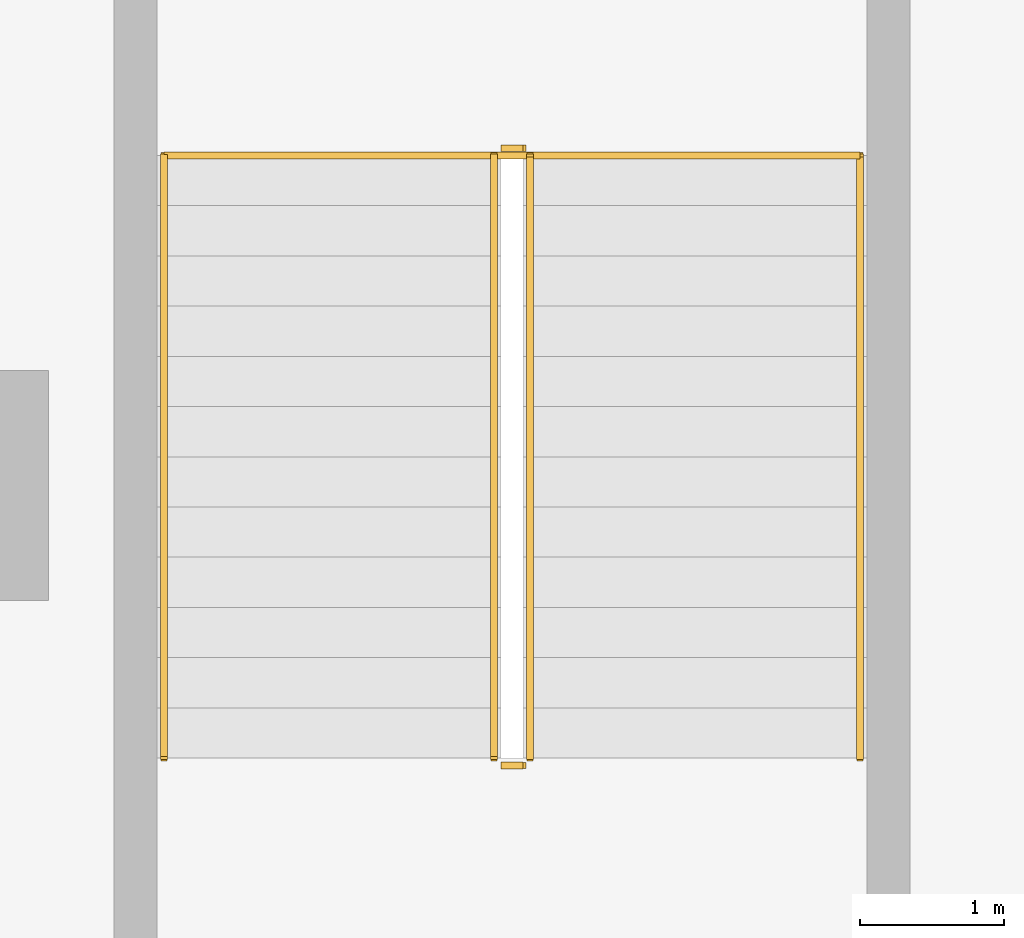
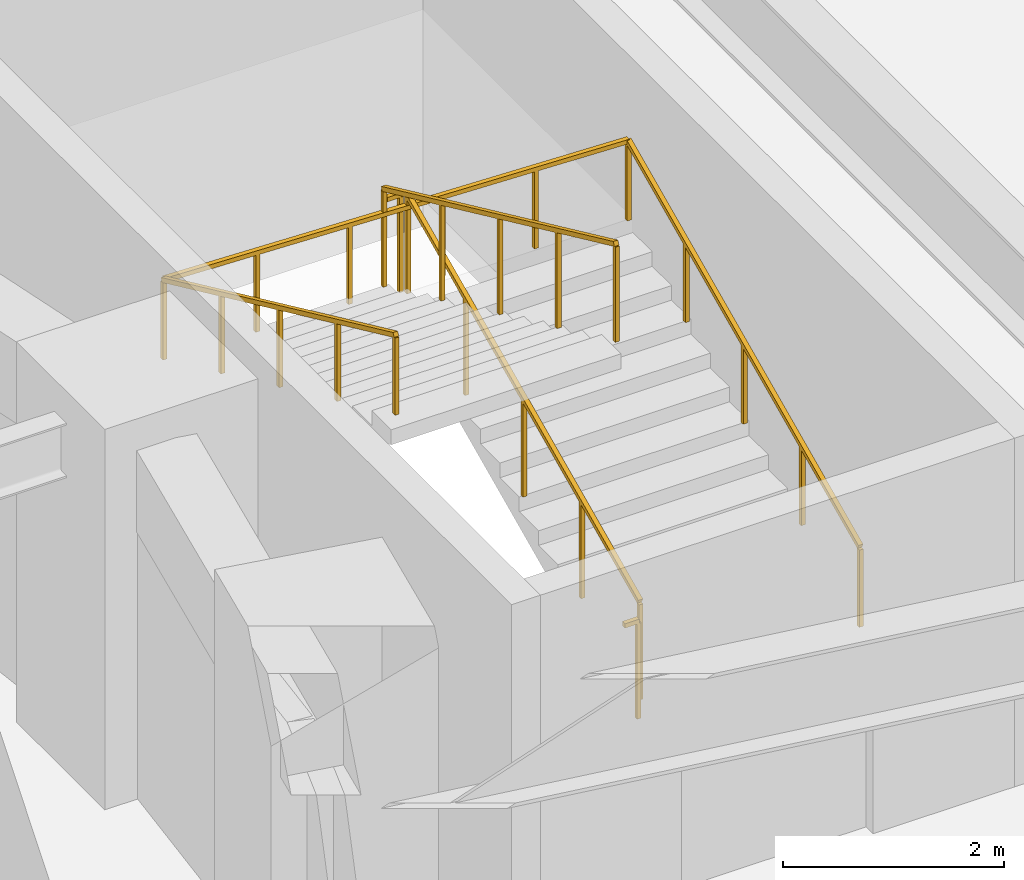
# One storey, part 30 of 32: 5 railings.
"""IFC4 building model written with IfcOpenShell, lengths in metres."""

from ifc_helpers import new_model, si_unit, direction, frame, origin, origin_2d, place, context, subcontext, project, spatial, rectangle, extrude, material, type_object, element, save


model = new_model("IFC4")

# Units and contexts
model_context = context("Model", 3, precision=1e-05, world=origin(), true_north=direction((0.0, 1.0)))
body_context = subcontext(model_context, "Body", "Model", "MODEL_VIEW")
ifc_project = project(units=[si_unit("LENGTHUNIT", "METRE"), si_unit("AREAUNIT", "SQUARE_METRE"), si_unit("VOLUMEUNIT", "CUBIC_METRE"), si_unit("PLANEANGLEUNIT", "RADIAN"), si_unit("MASSUNIT", "GRAM", prefix="KILO")], contexts=[model_context])

# Site, building, storey
site_placement = place(None, origin())
site = spatial("IfcSite", under=ifc_project, at=site_placement, CompositionType="ELEMENT")
building_placement = place(site_placement, origin())
building = spatial("IfcBuilding", under=site, at=building_placement, Name="Noorbagh Ring Tower", CompositionType="ELEMENT")
storey_placement = place(building_placement, frame((0.0, 0.0, -4.199951171875)))
storey = spatial("IfcBuildingStorey", under=building, at=storey_placement, Name="B1", CompositionType="ELEMENT", Elevation=-4.199951171875)

# Railings
ifc_material_1 = material(Name="Stainless steel", Category="steel")
railing_type_1 = type_object("IfcRailingType", Name="GND-STAIR-GUARD", PredefinedType="GUARDRAIL", material=ifc_material_1)
railing_1_placement = place(storey_placement, frame((39.10009765625, -1.89990234375, 0.161376953125)))
element("IfcRailing", 1, at=railing_1_placement, inside=storey, type_object=railing_type_1, Name="B1 ST-P2 stair guard", PredefinedType="GUARDRAIL", context=body_context, shape_type="SweptSolid", body=[
    extrude(rectangle(XDim=0.048095703125, YDim=0.048095703125, at=origin_2d()), frame((0.0, 0.0, 1.076171875), z_axis=(0.0, 0.907956294976, 0.419064871366), x_axis=(-1.0, 0.0, 0.0)), (0.0, 0.0, 1.0), 4.625732421875),
    extrude(rectangle(XDim=0.0419921875, YDim=0.0419921875, at=origin_2d()), origin(), (0.0, 0.0, 1.0), 1.052001953125),
    extrude(rectangle(XDim=0.0419921875, YDim=0.0419921875, at=origin_2d()), frame((0.0, 1.050048828125, 0.484619140625)), (0.0, 0.0, 1.0), 1.052001953125),
    extrude(rectangle(XDim=0.0419921875, YDim=0.0419921875, at=origin_2d()), frame((0.0, 2.10009765625, 0.96923828125)), (0.0, 0.0, 1.0), 1.052001953125),
    extrude(rectangle(XDim=0.0419921875, YDim=0.0419921875, at=origin_2d()), frame((0.0, 3.14990234375, 1.453857421875)), (0.0, 0.0, 1.0), 1.052001953125),
    extrude(rectangle(XDim=0.0419921875, YDim=0.0419921875, at=origin_2d()), frame((0.0, 4.199951171875, 1.9384765625)), (0.0, 0.0, 1.0), 1.052001953125),
])
railing_2_placement = place(storey_placement, frame((39.050048828125, 2.35009765625, 2.099853515625)))
element("IfcRailing", 2, at=railing_2_placement, inside=storey, type_object=railing_type_1, Name="B1 ST-P2 stair guard", PredefinedType="GUARDRAIL", context=body_context, shape_type="SweptSolid", body=[
    extrude(rectangle(XDim=0.048095703125, YDim=0.048095703125, at=origin_2d()), frame((0.0, 0.0, 1.076171875), z_axis=(-1.0, 0.0, 0.0), x_axis=(0.0, -1.0, 0.0)), (0.0, 0.0, 1.0), 0.150146484375),
    extrude(rectangle(XDim=0.0419921875, YDim=0.0419921875, at=origin_2d()), origin(), (0.0, 0.0, 1.0), 1.052001953125),
])
railing_3_placement = place(storey_placement, frame((38.85009765625, 2.300048828125, 2.261474609375)))
element("IfcRailing", 3, at=railing_3_placement, inside=storey, type_object=railing_type_1, Name="B1 ST-P2 stair guard", PredefinedType="GUARDRAIL", context=body_context, shape_type="SweptSolid", body=[
    extrude(rectangle(XDim=0.048095703125, YDim=0.048095703125, at=origin_2d()), frame((0.0, 0.0, 1.076171875), z_axis=(0.0, -0.907956294976, 0.419064871366), x_axis=(1.0, 0.0, 0.0)), (0.0, 0.0, 1.0), 4.625732421875),
    extrude(rectangle(XDim=0.0419921875, YDim=0.0419921875, at=origin_2d()), origin(), (0.0, 0.0, 1.0), 1.052001953125),
    extrude(rectangle(XDim=0.0419921875, YDim=0.0419921875, at=origin_2d()), frame((0.0, -1.050048828125, 0.484619140625)), (0.0, 0.0, 1.0), 1.052001953125),
    extrude(rectangle(XDim=0.0419921875, YDim=0.0419921875, at=origin_2d()), frame((0.0, -2.10009765625, 0.96923828125)), (0.0, 0.0, 1.0), 1.052001953125),
    extrude(rectangle(XDim=0.0419921875, YDim=0.0419921875, at=origin_2d()), frame((0.0, -3.14990234375, 1.453857421875)), (0.0, 0.0, 1.0), 1.052001953125),
    extrude(rectangle(XDim=0.0419921875, YDim=0.0419921875, at=origin_2d()), frame((0.0, -4.199951171875, 1.9384765625)), (0.0, 0.0, 1.0), 1.052001953125),
])
railing_4_placement = place(storey_placement, frame((39.050048828125, -1.949951171875, 0.0)))
element("IfcRailing", 4, at=railing_4_placement, inside=storey, type_object=railing_type_1, Name="B1 ST-P2 stair guard", PredefinedType="GUARDRAIL", context=body_context, shape_type="SweptSolid", body=[
    extrude(rectangle(XDim=0.048095703125, YDim=0.048095703125, at=origin_2d()), frame((0.0, 0.0, 1.076171875), z_axis=(-1.0, 0.0, 0.0), x_axis=(0.0, -1.0, 0.0)), (0.0, 0.0, 1.0), 0.150146484375),
    extrude(rectangle(XDim=0.0419921875, YDim=0.0419921875, at=origin_2d()), origin(), (0.0, 0.0, 1.0), 1.052001953125),
])
ifc_material_2 = material(Name="Stainless steel", Category="steel")
railing_type_2 = type_object("IfcRailingType", Name="GND-STAIR-HANDRAIL", PredefinedType="HANDRAIL", material=ifc_material_2)
railing_5_placement = place(storey_placement, frame((41.39990234375, -1.89990234375, 0.161376953125)))
element("IfcRailing", 5, at=railing_5_placement, inside=storey, type_object=railing_type_2, Name="B1 ST-P2 stair handrail", PredefinedType="HANDRAIL", context=body_context, shape_type="SweptSolid", body=[
    extrude(rectangle(XDim=0.048095703125, YDim=0.048095703125, at=origin_2d()), frame((0.0, 0.0, 0.8759765625), z_axis=(0.0, 0.907956294976, 0.419064871366), x_axis=(-1.0, 0.0, 0.0)), (0.0, 0.0, 1.0), 4.625732421875),
    extrude(rectangle(XDim=0.048095703125, YDim=0.048095703125, at=origin_2d()), frame((0.0, 4.199951171875, 2.814453125), z_axis=(-0.999445186144, 0.0, 0.033306454227), x_axis=(0.0, -1.0, 0.0)), (0.0, 0.0, 1.0), 4.8525390625),
    extrude(rectangle(XDim=0.048095703125, YDim=0.048095703125, at=origin_2d()), frame((-4.849853515625, 4.199951171875, 2.97607421875), z_axis=(0.0, -0.907956294976, 0.419064871366), x_axis=(1.0, 0.0, 0.0)), (0.0, 0.0, 1.0), 4.625732421875),
    extrude(rectangle(XDim=0.0419921875, YDim=0.0419921875, at=origin_2d()), origin(), (0.0, 0.0, 1.0), 0.851806640625),
    extrude(rectangle(XDim=0.0419921875, YDim=0.0419921875, at=origin_2d()), frame((0.0, 1.050048828125, 0.484619140625)), (0.0, 0.0, 1.0), 0.851806640625),
    extrude(rectangle(XDim=0.0419921875, YDim=0.0419921875, at=origin_2d()), frame((0.0, 2.10009765625, 0.96923828125)), (0.0, 0.0, 1.0), 0.851806640625),
    extrude(rectangle(XDim=0.0419921875, YDim=0.0419921875, at=origin_2d()), frame((0.0, 3.14990234375, 1.453857421875)), (0.0, 0.0, 1.0), 0.851806640625),
    extrude(rectangle(XDim=0.0419921875, YDim=0.0419921875, at=origin_2d()), frame((0.0, 4.199951171875, 1.9384765625)), (0.0, 0.0, 1.0), 0.851806640625),
    extrude(rectangle(XDim=0.0419921875, YDim=0.0419921875, at=origin_2d()), frame((-0.969970703125, 4.199951171875, 1.970703125)), (0.0, 0.0, 1.0), 0.851806640625),
    extrude(rectangle(XDim=0.0419921875, YDim=0.0419921875, at=origin_2d()), frame((-1.93994140625, 4.199951171875, 2.003173828125)), (0.0, 0.0, 1.0), 0.851806640625),
    extrude(rectangle(XDim=0.0419921875, YDim=0.0419921875, at=origin_2d()), frame((-2.909912109375, 4.199951171875, 2.035400390625)), (0.0, 0.0, 1.0), 0.851806640625),
    extrude(rectangle(XDim=0.0419921875, YDim=0.0419921875, at=origin_2d()), frame((-3.8798828125, 4.199951171875, 2.06787109375)), (0.0, 0.0, 1.0), 0.851806640625),
    extrude(rectangle(XDim=0.0419921875, YDim=0.0419921875, at=origin_2d()), frame((-4.849853515625, 4.199951171875, 2.10009765625)), (0.0, 0.0, 1.0), 0.851806640625),
    extrude(rectangle(XDim=0.0419921875, YDim=0.0419921875, at=origin_2d()), frame((-4.849853515625, 3.14990234375, 2.584716796875)), (0.0, 0.0, 1.0), 0.851806640625),
    extrude(rectangle(XDim=0.0419921875, YDim=0.0419921875, at=origin_2d()), frame((-4.849853515625, 2.10009765625, 3.0693359375)), (0.0, 0.0, 1.0), 0.851806640625),
    extrude(rectangle(XDim=0.0419921875, YDim=0.0419921875, at=origin_2d()), frame((-4.849853515625, 1.050048828125, 3.553955078125)), (0.0, 0.0, 1.0), 0.851806640625),
    extrude(rectangle(XDim=0.0419921875, YDim=0.0419921875, at=origin_2d()), frame((-4.849853515625, 0.0, 4.03857421875)), (0.0, 0.0, 1.0), 0.851806640625),
])

save(model, "model.ifc")
